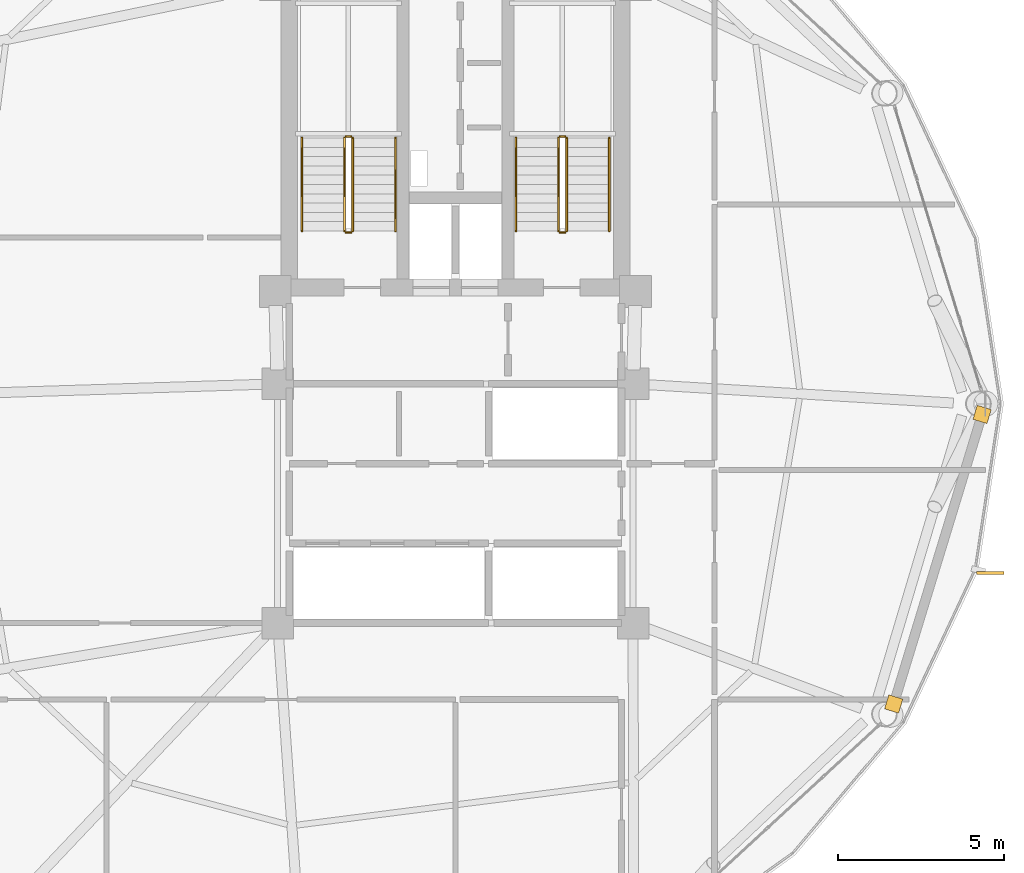
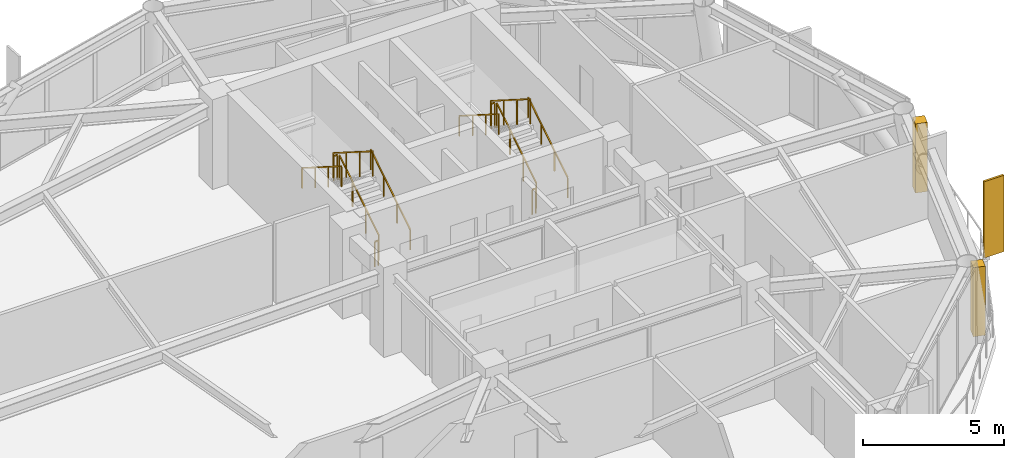
# One storey, part 25 of 26: 12 railings, 2 coverings, 1 shading device.
"""IFC4 building model written with IfcOpenShell, lengths in metres."""

from ifc_helpers import new_model, si_unit, direction, frame, origin, origin_2d, place, context, subcontext, project, spatial, rectangle, extrude, source, transform, mapped, material, layer, layer_set, type_object, type_shapes, element, save


model = new_model("IFC4")

# Units and contexts
model_context = context("Model", 3, precision=1e-05, world=origin(), true_north=direction((0.0, 1.0)))
body_context = subcontext(model_context, "Body", "Model", "MODEL_VIEW")
ifc_project = project(units=[si_unit("LENGTHUNIT", "METRE"), si_unit("AREAUNIT", "SQUARE_METRE"), si_unit("VOLUMEUNIT", "CUBIC_METRE"), si_unit("PLANEANGLEUNIT", "RADIAN"), si_unit("MASSUNIT", "GRAM", prefix="KILO")], contexts=[model_context])

# Site, building, storey
site_placement = place(None, origin())
site = spatial("IfcSite", under=ifc_project, at=site_placement, CompositionType="ELEMENT")
building_placement = place(site_placement, origin())
building = spatial("IfcBuilding", under=site, at=building_placement, Name="Varnakorn Sky Granary", CompositionType="ELEMENT")
storey_placement = place(building_placement, frame((0.0, 0.0, 169.5)))
storey = spatial("IfcBuildingStorey", under=building, at=storey_placement, Name="L42", CompositionType="ELEMENT", Elevation=169.5)

# Railings
ifc_material_1 = material(Name="Brushed Stainless Steel 316", Category="steel")
railing_type_1 = type_object("IfcRailingType", Name="RL-STAIR-1100", PredefinedType="GUARDRAIL", material=ifc_material_1)
railing_1_placement = place(storey_placement, frame((-0.090087890625, 5.199951171875, 0.17724609375)))
element("IfcRailing", 1, at=railing_1_placement, inside=storey, type_object=railing_type_1, Name="L42 ST-1 stair guard 1", PredefinedType="GUARDRAIL", context=body_context, shape_type="SweptSolid", body=[
    extrude(rectangle(XDim=0.048095703125, YDim=0.048095703125, at=origin_2d()), frame((0.0, 0.0, 1.076171875), z_axis=(0.0, 0.844908973607, 0.534910110503), x_axis=(-1.0, 0.0, 0.0)), (0.0, 0.0, 1.0), 3.31396484375),
    extrude(rectangle(XDim=0.0419921875, YDim=0.0419921875, at=origin_2d()), origin(), (0.0, 0.0, 1.0), 1.048095703125),
    extrude(rectangle(XDim=0.0419921875, YDim=0.0419921875, at=origin_2d()), frame((0.0, 0.933349609375, 0.5908203125)), (0.0, 0.0, 1.0), 1.048095703125),
    extrude(rectangle(XDim=0.0419921875, YDim=0.0419921875, at=origin_2d()), frame((0.0, 1.86669921875, 1.181884765625)), (0.0, 0.0, 1.0), 1.048095703125),
    extrude(rectangle(XDim=0.0419921875, YDim=0.0419921875, at=origin_2d()), frame((0.0, 2.800048828125, 1.772705078125)), (0.0, 0.0, 1.0), 1.048095703125),
])
railing_2_placement = place(storey_placement, frame((-0.139892578125, 8.050048828125, 1.949951171875)))
element("IfcRailing", 2, at=railing_2_placement, inside=storey, type_object=railing_type_1, Name="L42 ST-1 stair guard 2", PredefinedType="GUARDRAIL", context=body_context, shape_type="SweptSolid", body=[
    extrude(rectangle(XDim=0.048095703125, YDim=0.048095703125, at=origin_2d()), frame((0.0, 0.0, 1.076171875), z_axis=(-1.0, 0.0, 0.0), x_axis=(0.0, -1.0, 0.0)), (0.0, 0.0, 1.0), 0.150146484375),
    extrude(rectangle(XDim=0.0419921875, YDim=0.0419921875, at=origin_2d()), origin(), (0.0, 0.0, 1.0), 1.048095703125),
    extrude(rectangle(XDim=0.0419921875, YDim=0.0419921875, at=origin_2d()), frame((-0.150146484375, 0.0, 0.0)), (0.0, 0.0, 1.0), 1.048095703125),
])
railing_3_placement = place(storey_placement, frame((-0.340087890625, 8.0, 2.127197265625)))
element("IfcRailing", 3, at=railing_3_placement, inside=storey, type_object=railing_type_1, Name="L42 ST-1 stair guard 3", PredefinedType="GUARDRAIL", context=body_context, shape_type="SweptSolid", body=[
    extrude(rectangle(XDim=0.048095703125, YDim=0.048095703125, at=origin_2d()), frame((0.0, 0.0, 1.076171875), z_axis=(0.0, -0.844908973607, 0.534910110503), x_axis=(1.0, 0.0, 0.0)), (0.0, 0.0, 1.0), 3.31396484375),
    extrude(rectangle(XDim=0.0419921875, YDim=0.0419921875, at=origin_2d()), origin(), (0.0, 0.0, 1.0), 1.048095703125),
    extrude(rectangle(XDim=0.0419921875, YDim=0.0419921875, at=origin_2d()), frame((0.0, -0.933349609375, 0.5908203125)), (0.0, 0.0, 1.0), 1.048095703125),
    extrude(rectangle(XDim=0.0419921875, YDim=0.0419921875, at=origin_2d()), frame((0.0, -1.86669921875, 1.181884765625)), (0.0, 0.0, 1.0), 1.048095703125),
    extrude(rectangle(XDim=0.0419921875, YDim=0.0419921875, at=origin_2d()), frame((0.0, -2.800048828125, 1.772705078125)), (0.0, 0.0, 1.0), 1.048095703125),
])
railing_4_placement = place(storey_placement, frame((-0.139892578125, 5.14990234375, 0.0)))
element("IfcRailing", 4, at=railing_4_placement, inside=storey, type_object=railing_type_1, Name="L42 ST-1 stair guard 4", PredefinedType="GUARDRAIL", context=body_context, shape_type="SweptSolid", body=[
    extrude(rectangle(XDim=0.048095703125, YDim=0.048095703125, at=origin_2d()), frame((0.0, 0.0, 1.076171875), z_axis=(-1.0, 0.0, 0.0), x_axis=(0.0, -1.0, 0.0)), (0.0, 0.0, 1.0), 0.150146484375),
    extrude(rectangle(XDim=0.0419921875, YDim=0.0419921875, at=origin_2d()), origin(), (0.0, 0.0, 1.0), 1.048095703125),
    extrude(rectangle(XDim=0.0419921875, YDim=0.0419921875, at=origin_2d()), frame((-0.150146484375, 0.0, 0.0)), (0.0, 0.0, 1.0), 1.048095703125),
])
railing_5_placement = place(storey_placement, frame((6.35009765625, 5.199951171875, 0.17724609375)))
element("IfcRailing", 5, at=railing_5_placement, inside=storey, type_object=railing_type_1, Name="L42 ST-2 stair guard 1", PredefinedType="GUARDRAIL", context=body_context, shape_type="SweptSolid", body=[
    extrude(rectangle(XDim=0.048095703125, YDim=0.048095703125, at=origin_2d()), frame((0.0, 0.0, 1.076171875), z_axis=(0.0, 0.844908973607, 0.534910110503), x_axis=(-1.0, 0.0, 0.0)), (0.0, 0.0, 1.0), 3.31396484375),
    extrude(rectangle(XDim=0.0419921875, YDim=0.0419921875, at=origin_2d()), origin(), (0.0, 0.0, 1.0), 1.048095703125),
    extrude(rectangle(XDim=0.0419921875, YDim=0.0419921875, at=origin_2d()), frame((0.0, 0.933349609375, 0.5908203125)), (0.0, 0.0, 1.0), 1.048095703125),
    extrude(rectangle(XDim=0.0419921875, YDim=0.0419921875, at=origin_2d()), frame((0.0, 1.86669921875, 1.181884765625)), (0.0, 0.0, 1.0), 1.048095703125),
    extrude(rectangle(XDim=0.0419921875, YDim=0.0419921875, at=origin_2d()), frame((0.0, 2.800048828125, 1.772705078125)), (0.0, 0.0, 1.0), 1.048095703125),
])
railing_6_placement = place(storey_placement, frame((6.300048828125, 8.050048828125, 1.949951171875)))
element("IfcRailing", 6, at=railing_6_placement, inside=storey, type_object=railing_type_1, Name="L42 ST-2 stair guard 2", PredefinedType="GUARDRAIL", context=body_context, shape_type="SweptSolid", body=[
    extrude(rectangle(XDim=0.048095703125, YDim=0.048095703125, at=origin_2d()), frame((0.0, 0.0, 1.076171875), z_axis=(-1.0, 0.0, 0.0), x_axis=(0.0, -1.0, 0.0)), (0.0, 0.0, 1.0), 0.150146484375),
    extrude(rectangle(XDim=0.0419921875, YDim=0.0419921875, at=origin_2d()), origin(), (0.0, 0.0, 1.0), 1.048095703125),
    extrude(rectangle(XDim=0.0419921875, YDim=0.0419921875, at=origin_2d()), frame((-0.150146484375, 0.0, 0.0)), (0.0, 0.0, 1.0), 1.048095703125),
])
railing_7_placement = place(storey_placement, frame((6.10009765625, 8.0, 2.127197265625)))
element("IfcRailing", 7, at=railing_7_placement, inside=storey, type_object=railing_type_1, Name="L42 ST-2 stair guard 3", PredefinedType="GUARDRAIL", context=body_context, shape_type="SweptSolid", body=[
    extrude(rectangle(XDim=0.048095703125, YDim=0.048095703125, at=origin_2d()), frame((0.0, 0.0, 1.076171875), z_axis=(0.0, -0.844908973607, 0.534910110503), x_axis=(1.0, 0.0, 0.0)), (0.0, 0.0, 1.0), 3.31396484375),
    extrude(rectangle(XDim=0.0419921875, YDim=0.0419921875, at=origin_2d()), origin(), (0.0, 0.0, 1.0), 1.048095703125),
    extrude(rectangle(XDim=0.0419921875, YDim=0.0419921875, at=origin_2d()), frame((0.0, -0.933349609375, 0.5908203125)), (0.0, 0.0, 1.0), 1.048095703125),
    extrude(rectangle(XDim=0.0419921875, YDim=0.0419921875, at=origin_2d()), frame((0.0, -1.86669921875, 1.181884765625)), (0.0, 0.0, 1.0), 1.048095703125),
    extrude(rectangle(XDim=0.0419921875, YDim=0.0419921875, at=origin_2d()), frame((0.0, -2.800048828125, 1.772705078125)), (0.0, 0.0, 1.0), 1.048095703125),
])
railing_8_placement = place(storey_placement, frame((6.300048828125, 5.14990234375, 0.0)))
element("IfcRailing", 8, at=railing_8_placement, inside=storey, type_object=railing_type_1, Name="L42 ST-2 stair guard 4", PredefinedType="GUARDRAIL", context=body_context, shape_type="SweptSolid", body=[
    extrude(rectangle(XDim=0.048095703125, YDim=0.048095703125, at=origin_2d()), frame((0.0, 0.0, 1.076171875), z_axis=(-1.0, 0.0, 0.0), x_axis=(0.0, -1.0, 0.0)), (0.0, 0.0, 1.0), 0.150146484375),
    extrude(rectangle(XDim=0.0419921875, YDim=0.0419921875, at=origin_2d()), origin(), (0.0, 0.0, 1.0), 1.048095703125),
    extrude(rectangle(XDim=0.0419921875, YDim=0.0419921875, at=origin_2d()), frame((-0.150146484375, 0.0, 0.0)), (0.0, 0.0, 1.0), 1.048095703125),
])
railing_type_2 = type_object("IfcRailingType", Name="RL-STAIR-920", PredefinedType="HANDRAIL", material=ifc_material_1)
railing_9_placement = place(storey_placement, frame((1.18994140625, 5.199951171875, 0.17724609375)))
element("IfcRailing", 9, at=railing_9_placement, inside=storey, type_object=railing_type_2, Name="L42 ST-1 stair handrail 1", PredefinedType="HANDRAIL", context=body_context, shape_type="SweptSolid", body=[
    extrude(rectangle(XDim=0.048095703125, YDim=0.048095703125, at=origin_2d()), frame((0.0, 0.0, 0.8759765625), z_axis=(0.0, 0.844908973607, 0.534910110503), x_axis=(-1.0, 0.0, 0.0)), (0.0, 0.0, 1.0), 3.31396484375),
    extrude(rectangle(XDim=0.0419921875, YDim=0.0419921875, at=origin_2d()), origin(), (0.0, 0.0, 1.0), 0.847900390625),
    extrude(rectangle(XDim=0.0419921875, YDim=0.0419921875, at=origin_2d()), frame((0.0, 0.933349609375, 0.5908203125)), (0.0, 0.0, 1.0), 0.847900390625),
    extrude(rectangle(XDim=0.0419921875, YDim=0.0419921875, at=origin_2d()), frame((0.0, 1.86669921875, 1.181884765625)), (0.0, 0.0, 1.0), 0.847900390625),
    extrude(rectangle(XDim=0.0419921875, YDim=0.0419921875, at=origin_2d()), frame((0.0, 2.800048828125, 1.772705078125)), (0.0, 0.0, 1.0), 0.847900390625),
])
railing_10_placement = place(storey_placement, frame((-1.6201171875, 8.0, 2.127197265625)))
element("IfcRailing", 10, at=railing_10_placement, inside=storey, type_object=railing_type_2, Name="L42 ST-1 stair handrail 2", PredefinedType="HANDRAIL", context=body_context, shape_type="SweptSolid", body=[
    extrude(rectangle(XDim=0.048095703125, YDim=0.048095703125, at=origin_2d()), frame((0.0, 0.0, 0.8759765625), z_axis=(0.0, -0.844908973607, 0.534910110503), x_axis=(1.0, 0.0, 0.0)), (0.0, 0.0, 1.0), 3.31396484375),
    extrude(rectangle(XDim=0.0419921875, YDim=0.0419921875, at=origin_2d()), origin(), (0.0, 0.0, 1.0), 0.847900390625),
    extrude(rectangle(XDim=0.0419921875, YDim=0.0419921875, at=origin_2d()), frame((0.0, -0.933349609375, 0.5908203125)), (0.0, 0.0, 1.0), 0.847900390625),
    extrude(rectangle(XDim=0.0419921875, YDim=0.0419921875, at=origin_2d()), frame((0.0, -1.86669921875, 1.181884765625)), (0.0, 0.0, 1.0), 0.847900390625),
    extrude(rectangle(XDim=0.0419921875, YDim=0.0419921875, at=origin_2d()), frame((0.0, -2.800048828125, 1.772705078125)), (0.0, 0.0, 1.0), 0.847900390625),
])
railing_11_placement = place(storey_placement, frame((7.6298828125, 5.199951171875, 0.17724609375)))
element("IfcRailing", 11, at=railing_11_placement, inside=storey, type_object=railing_type_2, Name="L42 ST-2 stair handrail 1", PredefinedType="HANDRAIL", context=body_context, shape_type="SweptSolid", body=[
    extrude(rectangle(XDim=0.048095703125, YDim=0.048095703125, at=origin_2d()), frame((0.0, 0.0, 0.8759765625), z_axis=(0.0, 0.844908973607, 0.534910110503), x_axis=(-1.0, 0.0, 0.0)), (0.0, 0.0, 1.0), 3.31396484375),
    extrude(rectangle(XDim=0.0419921875, YDim=0.0419921875, at=origin_2d()), origin(), (0.0, 0.0, 1.0), 0.847900390625),
    extrude(rectangle(XDim=0.0419921875, YDim=0.0419921875, at=origin_2d()), frame((0.0, 0.933349609375, 0.5908203125)), (0.0, 0.0, 1.0), 0.847900390625),
    extrude(rectangle(XDim=0.0419921875, YDim=0.0419921875, at=origin_2d()), frame((0.0, 1.86669921875, 1.181884765625)), (0.0, 0.0, 1.0), 0.847900390625),
    extrude(rectangle(XDim=0.0419921875, YDim=0.0419921875, at=origin_2d()), frame((0.0, 2.800048828125, 1.772705078125)), (0.0, 0.0, 1.0), 0.847900390625),
])
railing_12_placement = place(storey_placement, frame((4.820068359375, 8.0, 2.127197265625)))
element("IfcRailing", 12, at=railing_12_placement, inside=storey, type_object=railing_type_2, Name="L42 ST-2 stair handrail 2", PredefinedType="HANDRAIL", context=body_context, shape_type="SweptSolid", body=[
    extrude(rectangle(XDim=0.048095703125, YDim=0.048095703125, at=origin_2d()), frame((0.0, 0.0, 0.8759765625), z_axis=(0.0, -0.844908973607, 0.534910110503), x_axis=(1.0, 0.0, 0.0)), (0.0, 0.0, 1.0), 3.31396484375),
    extrude(rectangle(XDim=0.0419921875, YDim=0.0419921875, at=origin_2d()), origin(), (0.0, 0.0, 1.0), 0.847900390625),
    extrude(rectangle(XDim=0.0419921875, YDim=0.0419921875, at=origin_2d()), frame((0.0, -0.933349609375, 0.5908203125)), (0.0, 0.0, 1.0), 0.847900390625),
    extrude(rectangle(XDim=0.0419921875, YDim=0.0419921875, at=origin_2d()), frame((0.0, -1.86669921875, 1.181884765625)), (0.0, 0.0, 1.0), 0.847900390625),
    extrude(rectangle(XDim=0.0419921875, YDim=0.0419921875, at=origin_2d()), frame((0.0, -2.800048828125, 1.772705078125)), (0.0, 0.0, 1.0), 0.847900390625),
])

# Coverings
ifc_material_2 = material(Name="Anodised Bronze Aluminium Alloy 6063-T6", Category="aluminium")
ifc_layer = layer(ifc_material_2, 0.050048828125, Name="Anodised Bronze Aluminium Alloy 6063-T6")
ifc_layer_set = layer_set([ifc_layer], Name="Anodised Bronze Aluminium Alloy 6063-T6")
covering_type = type_object("IfcCoveringType", Name="CV-CLAD-50", PredefinedType="CLADDING", material=ifc_layer_set)
shared_shape_1 = source(origin(), body_context, "Body", "SweptSolid", [
    extrude(rectangle(XDim=0.43994140625, YDim=0.43994140625, at=origin_2d()), origin(), (0.0, 0.0, 1.0), 2.989990234375),
])
type_shapes(covering_type, [shared_shape_1])
for number, where, z_axis, x_axis, name in (
    (13, (18.851806640625, -0.3212890625, -0.02001953125), (0.0, 0.0, 1.0), (-0.292037873584, -0.956406754677, 0.0), "Bronze Corner Pilaster Closure L42-P12-A"),
    (14, (16.19140625, -9.0361328125, -0.02001953125), (0.0, 0.0, 1.0), (-0.292037873584, -0.956406754677, 0.0), "Bronze Corner Pilaster Closure L42-P12-B"),
):
    element("IfcCovering", number, at=place(storey_placement, frame(where, z_axis=z_axis, x_axis=x_axis)), inside=storey, type_object=covering_type, Name=name, PredefinedType="CLADDING", context=body_context, shape_type="MappedRepresentation", body=[
        mapped(shared_shape_1, transform((0.0, 0.0, 0.0), x_axis=(1.0, 0.0, 0.0), y_axis=(0.0, 1.0, 0.0), z_axis=(0.0, 0.0, 1.0), scale=1.0)),
    ])

# Shading device
shading_device_type = type_object("IfcShadingDeviceType", Name="SH-FIN-02", PredefinedType="USERDEFINED", material=ifc_material_2)
shared_shape_2 = source(origin(), body_context, "Body", "SweptSolid", [
    extrude(rectangle(XDim=0.0849609375, YDim=0.820068359375, at=origin_2d()), origin(), (0.0, 0.0, 1.0), 3.300048828125),
])
type_shapes(shading_device_type, [shared_shape_2])
shading_device_placement = place(storey_placement, frame((19.100830078125, -5.09619140625, -0.0400390625), z_axis=(0.0, 0.0, 1.0), x_axis=(-0.004542326682, 0.999989683581, 0.0)))
element("IfcShadingDevice", 15, at=shading_device_placement, inside=storey, type_object=shading_device_type, Name="Bronze Solar-Tracking Vertical Blade FIN L42-12", ObjectType="FIN", PredefinedType="USERDEFINED", context=body_context, shape_type="MappedRepresentation", body=[
    mapped(shared_shape_2, transform((0.0, 0.0, 0.0), x_axis=(1.0, 0.0, 0.0), y_axis=(0.0, 1.0, 0.0), z_axis=(0.0, 0.0, 1.0), scale=1.0)),
])

save(model, "model.ifc")
